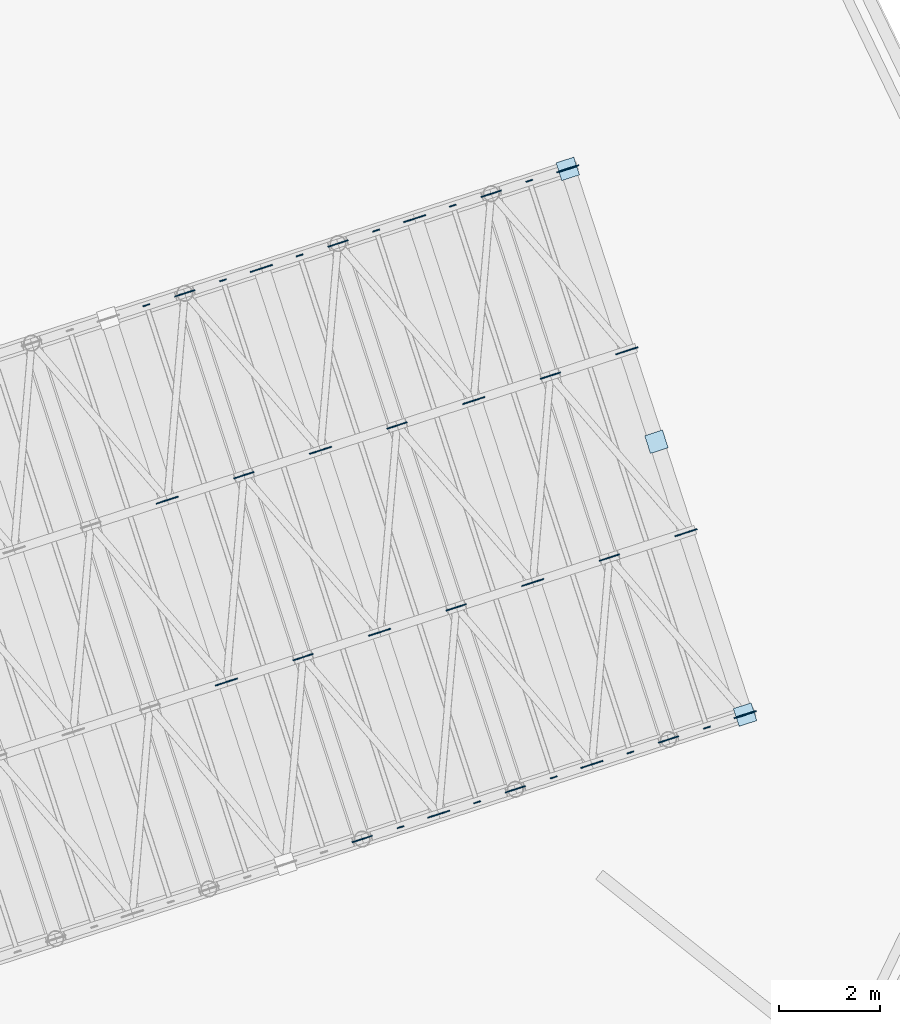
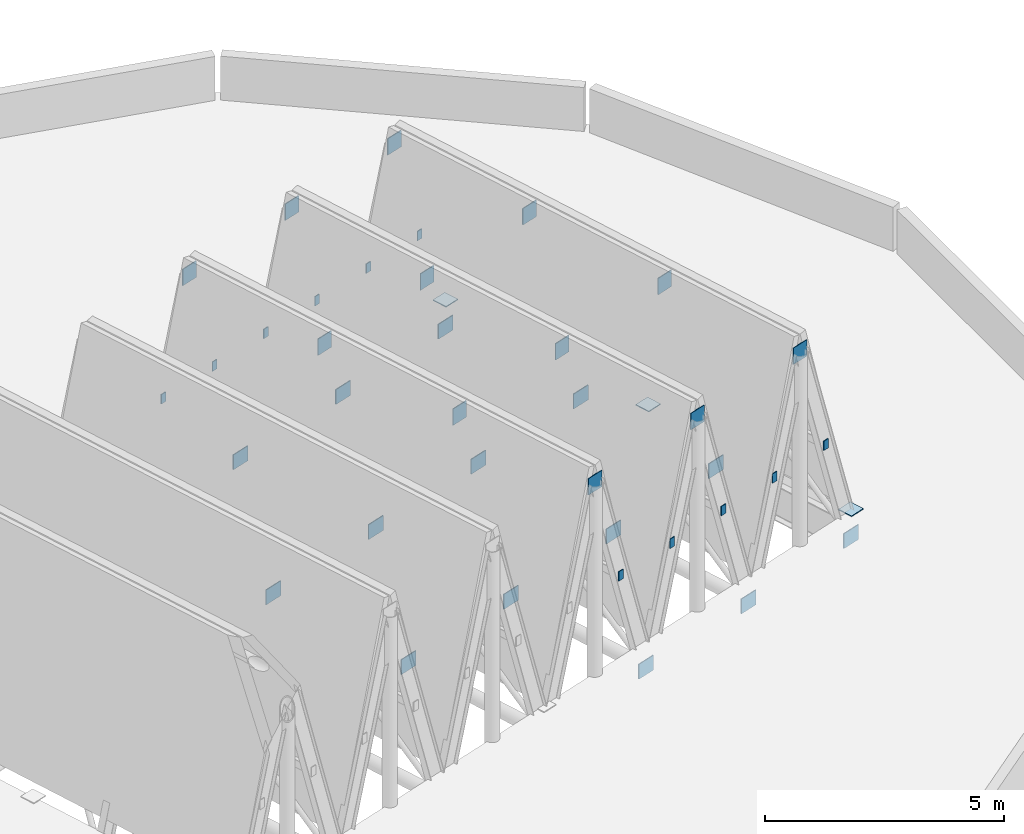
# One storey, part 23 of 51: 40 plates.
"""IFC4 building model written with IfcOpenShell, lengths in metres."""

from ifc_helpers import new_model, si_unit, direction, frame, origin, origin_2d, place, context, subcontext, project, spatial, rectangle, extrude, material, layer, layer_set, type_object, element, save


model = new_model("IFC4")

# Units and contexts
model_context = context("Model", 3, precision=1e-05, world=origin(), true_north=direction((0.0, 1.0)))
body_context = subcontext(model_context, "Body", "Model", "MODEL_VIEW")
ifc_project = project(units=[si_unit("LENGTHUNIT", "METRE"), si_unit("AREAUNIT", "SQUARE_METRE"), si_unit("VOLUMEUNIT", "CUBIC_METRE"), si_unit("PLANEANGLEUNIT", "RADIAN"), si_unit("MASSUNIT", "GRAM", prefix="KILO")], contexts=[model_context])

# Site, building, storey
site_placement = place(None, origin())
site = spatial("IfcSite", under=ifc_project, at=site_placement, CompositionType="ELEMENT")
building_placement = place(site_placement, origin())
building = spatial("IfcBuilding", under=site, at=building_placement, Name="Wrenclough Park School", CompositionType="ELEMENT")
storey_placement = place(building_placement, frame((0.0, 0.0, 16.800048828125)))
storey = spatial("IfcBuildingStorey", under=building, at=storey_placement, Name="L04", CompositionType="ELEMENT", Elevation=16.800048828125)

# Plates
ifc_material = material(Name="Structural steel S355", Category="steel")
ifc_layer_1 = layer(ifc_material, 0.239990234375)
ifc_layer_set_1 = layer_set([ifc_layer_1], Name="Structural steel S355")
plate_type_1 = type_object("IfcPlateType", Name="STR-PL-EP200", PredefinedType="SHEET", material=ifc_layer_set_1)
for number, where, z_axis, x_axis, name in (
    (1, (36.196044921875, 27.878662109375, 1.96728515625), (0.0, 0.0, 1.0), (-0.309016994375, 0.951056516295, 0.0), "D2 purlin 4L N welded sealing end-cap plate"),
    (2, (41.247314453125, 17.510009765625, 1.96728515625), (0.0, 0.0, 1.0), (-0.309016994375, 0.951056516295, 0.0), "D2 purlin 4R S welded sealing end-cap plate"),
    (3, (37.7177734375, 28.373291015625, 1.96728515625), (0.0, 0.0, 1.0), (-0.309016994375, 0.951056516295, 0.0), "D2 purlin 4R N welded sealing end-cap plate"),
    (4, (42.76904296875, 18.00439453125, 1.96728515625), (0.0, 0.0, 1.0), (-0.309016994375, 0.951056516295, 0.0), "D2 purlin 5L S welded sealing end-cap plate"),
    (5, (39.239501953125, 28.86767578125, 1.96728515625), (0.0, 0.0, 1.0), (-0.309016994375, 0.951056516295, 0.0), "D2 purlin 5L N welded sealing end-cap plate"),
    (6, (44.290771484375, 18.4990234375, 1.96728515625), (0.0, 0.0, 1.0), (-0.309016994375, 0.951056516295, 0.0), "D2 purlin 5R S welded sealing end-cap plate"),
    (7, (40.760986328125, 29.362060546875, 1.96728515625), (0.0, 0.0, 1.0), (-0.309016994375, 0.951056516295, 0.0), "D2 purlin 5R N welded sealing end-cap plate"),
    (8, (45.8125, 18.993408203125, 1.96728515625), (0.0, 0.0, 1.0), (-0.309016994375, 0.951056516295, 0.0), "D2 purlin 6L S welded sealing end-cap plate"),
    (9, (42.28271484375, 29.8564453125, 1.96728515625), (0.0, 0.0, 1.0), (-0.309016994375, 0.951056516295, 0.0), "D2 purlin 6L N welded sealing end-cap plate"),
    (10, (47.333984375, 19.48779296875, 1.96728515625), (0.0, 0.0, 1.0), (-0.309016994375, 0.951056516295, 0.0), "D2 purlin 6R S welded sealing end-cap plate"),
    (11, (43.804443359375, 30.350830078125, 1.96728515625), (0.0, 0.0, 1.0), (-0.309016994375, 0.951056516295, 0.0), "D2 purlin 6R N welded sealing end-cap plate"),
):
    element("IfcPlate", number, at=place(storey_placement, frame(where, z_axis=z_axis, x_axis=x_axis)), inside=storey, type_object=plate_type_1, Name=name, PredefinedType="SHEET", context=body_context, shape_type="SweptSolid", body=[
        extrude(rectangle(XDim=0.02197265625, YDim=0.139892578125, at=origin_2d()), origin(), (0.0, 0.0, 1.0), 0.239990234375),
    ])
ifc_layer_2 = layer(ifc_material, 0.02197265625)
ifc_layer_set_2 = layer_set([ifc_layer_2], Name="Structural steel S355")
plate_type_2 = type_object("IfcPlateType", Name="STR-PL-EP324", PredefinedType="SHEET", material=ifc_layer_set_2)
for number, where, z_axis, x_axis, name in (
    (12, (48.091552734375, 19.74560546875, 0.0), (0.0, 0.0, 1.0), (0.951056516295, 0.309016994375, 0.0), "Hollow steel column top sealing cap plate D2HR-2-0"),
    (13, (46.330078125, 25.16650390625, 0.0), (0.0, 0.0, 1.0), (0.951056516295, 0.309016994375, 0.0), "Hollow steel column top sealing cap plate D2HR-2-1"),
    (14, (44.568603515625, 30.587646484375, 0.0), (0.0, 0.0, 1.0), (0.951056516295, 0.309016994375, 0.0), "Hollow steel column top sealing cap plate D2HR-2-2"),
):
    element("IfcPlate", number, at=place(storey_placement, frame(where, z_axis=z_axis, x_axis=x_axis)), inside=storey, type_object=plate_type_2, Name=name, PredefinedType="SHEET", context=body_context, shape_type="SweptSolid", body=[
        extrude(rectangle(XDim=0.3701171875, YDim=0.3701171875, at=origin_2d()), origin(), (0.0, 0.0, 1.0), 0.02197265625),
    ])
ifc_layer_3 = layer(ifc_material, 0.02197265625)
ifc_layer_set_3 = layer_set([ifc_layer_3], Name="Structural steel S355")
plate_type_3 = type_object("IfcPlateType", Name="STR-PL-KN6", PredefinedType="USERDEFINED", material=ifc_layer_set_3)
for number, where, z_axis, x_axis, name in (
    (15, (40.483154296875, 17.2734375, 4.64501953125), (0.0, 0.0, 1.0), (0.951056516295, 0.309016994375, 0.0), "D2 ridge apex gusset plate 4.1"),
    (16, (39.308837890625, 20.887451171875, 4.64501953125), (0.0, 0.0, 1.0), (0.951056516295, 0.309016994375, 0.0), "D2 ridge apex gusset plate 4.2"),
    (17, (38.134521484375, 24.50146484375, 4.64501953125), (0.0, 0.0, 1.0), (0.951056516295, 0.309016994375, 0.0), "D2 ridge apex gusset plate 4.3"),
    (18, (36.960205078125, 28.115478515625, 4.64501953125), (0.0, 0.0, 1.0), (0.951056516295, 0.309016994375, 0.0), "D2 ridge apex gusset plate 4.4"),
    (19, (43.526611328125, 18.26220703125, 4.64501953125), (0.0, 0.0, 1.0), (0.951056516295, 0.309016994375, 0.0), "D2 ridge apex gusset plate 5.1"),
    (20, (42.352294921875, 21.876220703125, 4.64501953125), (0.0, 0.0, 1.0), (0.951056516295, 0.309016994375, 0.0), "D2 ridge apex gusset plate 5.2"),
    (21, (41.177978515625, 25.490234375, 4.64501953125), (0.0, 0.0, 1.0), (0.951056516295, 0.309016994375, 0.0), "D2 ridge apex gusset plate 5.3"),
    (22, (40.003662109375, 29.104248046875, 4.64501953125), (0.0, 0.0, 1.0), (0.951056516295, 0.309016994375, 0.0), "D2 ridge apex gusset plate 5.4"),
    (23, (46.56982421875, 19.251220703125, 4.64501953125), (0.0, 0.0, 1.0), (0.951056516295, 0.309016994375, 0.0), "D2 ridge apex gusset plate 6.1"),
    (24, (45.3955078125, 22.864990234375, 4.64501953125), (0.0, 0.0, 1.0), (0.951056516295, 0.309016994375, 0.0), "D2 ridge apex gusset plate 6.2"),
    (25, (44.22119140625, 26.47900390625, 4.64501953125), (0.0, 0.0, 1.0), (0.951056516295, 0.309016994375, 0.0), "D2 ridge apex gusset plate 6.3"),
    (26, (43.047119140625, 30.09326171875, 4.64501953125), (0.0, 0.0, 1.0), (0.951056516295, 0.309016994375, 0.0), "D2 ridge apex gusset plate 6.4"),
):
    element("IfcPlate", number, at=place(storey_placement, frame(where, z_axis=z_axis, x_axis=x_axis)), inside=storey, type_object=plate_type_3, Name=name, ObjectType="GUSSET PLATE", PredefinedType="USERDEFINED", context=body_context, shape_type="SweptSolid", body=[
        extrude(rectangle(XDim=0.419921875, YDim=0.02197265625, at=origin_2d()), origin(), (0.0, 0.0, 1.0), 0.419921875),
    ])
ifc_layer_4 = layer(ifc_material, 0.02197265625)
ifc_layer_set_4 = layer_set([ifc_layer_4], Name="Structural steel S355")
plate_type_4 = type_object("IfcPlateType", Name="STR-PL-KN7", PredefinedType="USERDEFINED", material=ifc_layer_set_4)
for number, where, z_axis, x_axis, name in (
    (27, (37.787109375, 20.39306640625, -0.8701171875), (0.0, 0.0, 1.0), (0.951056516295, 0.309016994375, 0.0), "D2 valley node gusset plate 4.2"),
    (28, (36.61279296875, 24.007080078125, -0.8701171875), (0.0, 0.0, 1.0), (0.951056516295, 0.309016994375, 0.0), "D2 valley node gusset plate 4.3"),
    (29, (42.0048828125, 17.767822265625, -0.8701171875), (0.0, 0.0, 1.0), (0.951056516295, 0.309016994375, 0.0), "D2 valley node gusset plate 5.1"),
    (30, (40.83056640625, 21.3818359375, -0.8701171875), (0.0, 0.0, 1.0), (0.951056516295, 0.309016994375, 0.0), "D2 valley node gusset plate 5.2"),
    (31, (39.65625, 24.995849609375, -0.8701171875), (0.0, 0.0, 1.0), (0.951056516295, 0.309016994375, 0.0), "D2 valley node gusset plate 5.3"),
    (32, (38.48193359375, 28.60986328125, -0.8701171875), (0.0, 0.0, 1.0), (0.951056516295, 0.309016994375, 0.0), "D2 valley node gusset plate 5.4"),
    (33, (45.048095703125, 18.756591796875, -0.8701171875), (0.0, 0.0, 1.0), (0.951056516295, 0.309016994375, 0.0), "D2 valley node gusset plate 6.1"),
    (34, (48.091552734375, 19.74560546875, -0.8701171875), (0.0, 0.0, 1.0), (0.951056516295, 0.309016994375, 0.0), "D2 east eave valley node gusset plate 1"),
    (35, (43.873779296875, 22.37060546875, -0.8701171875), (0.0, 0.0, 1.0), (0.951056516295, 0.309016994375, 0.0), "D2 valley node gusset plate 6.2"),
    (36, (46.917236328125, 23.359619140625, -0.8701171875), (0.0, 0.0, 1.0), (0.951056516295, 0.309016994375, 0.0), "D2 east eave valley node gusset plate 2"),
    (37, (42.69970703125, 25.984619140625, -0.8701171875), (0.0, 0.0, 1.0), (0.951056516295, 0.309016994375, 0.0), "D2 valley node gusset plate 6.3"),
    (38, (45.742919921875, 26.9736328125, -0.8701171875), (0.0, 0.0, 1.0), (0.951056516295, 0.309016994375, 0.0), "D2 east eave valley node gusset plate 3"),
    (39, (41.525390625, 29.5986328125, -0.8701171875), (0.0, 0.0, 1.0), (0.951056516295, 0.309016994375, 0.0), "D2 valley node gusset plate 6.4"),
    (40, (44.568603515625, 30.587646484375, -0.8701171875), (0.0, 0.0, 1.0), (0.951056516295, 0.309016994375, 0.0), "D2 east eave valley node gusset plate 4"),
):
    element("IfcPlate", number, at=place(storey_placement, frame(where, z_axis=z_axis, x_axis=x_axis)), inside=storey, type_object=plate_type_4, Name=name, ObjectType="GUSSET PLATE", PredefinedType="USERDEFINED", context=body_context, shape_type="SweptSolid", body=[
        extrude(rectangle(XDim=0.4599609375, YDim=0.02197265625, at=origin_2d()), origin(), (0.0, 0.0, 1.0), 0.3798828125),
    ])

save(model, "model.ifc")
